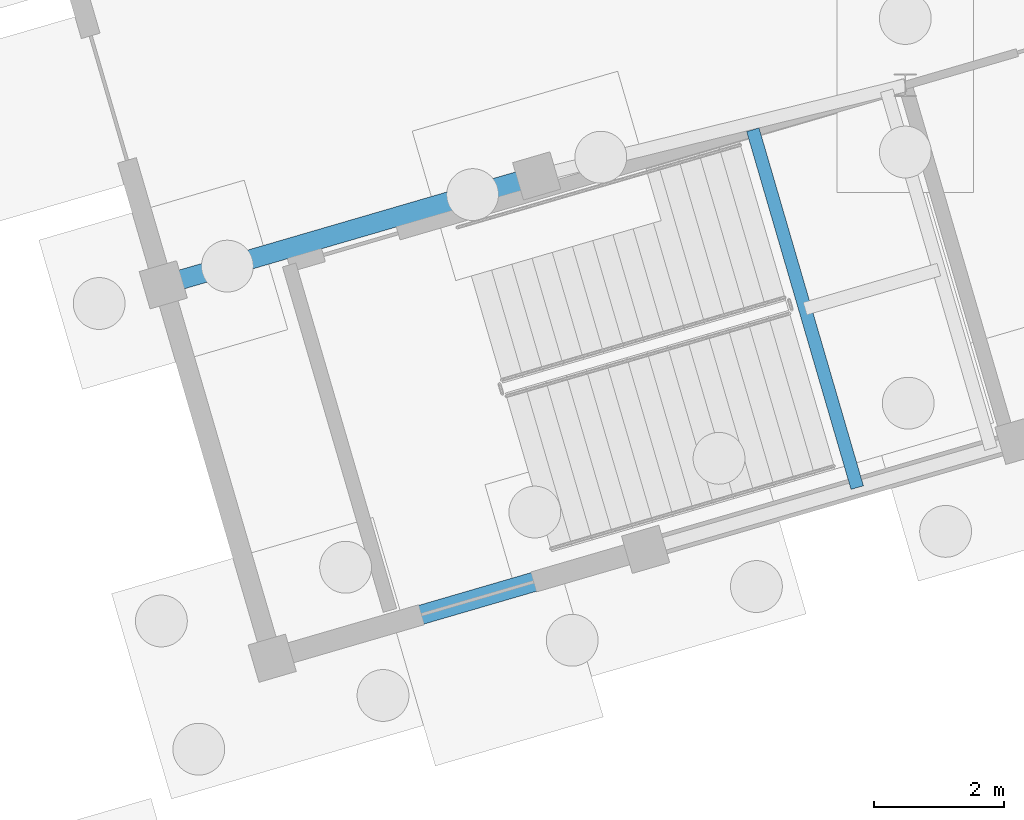
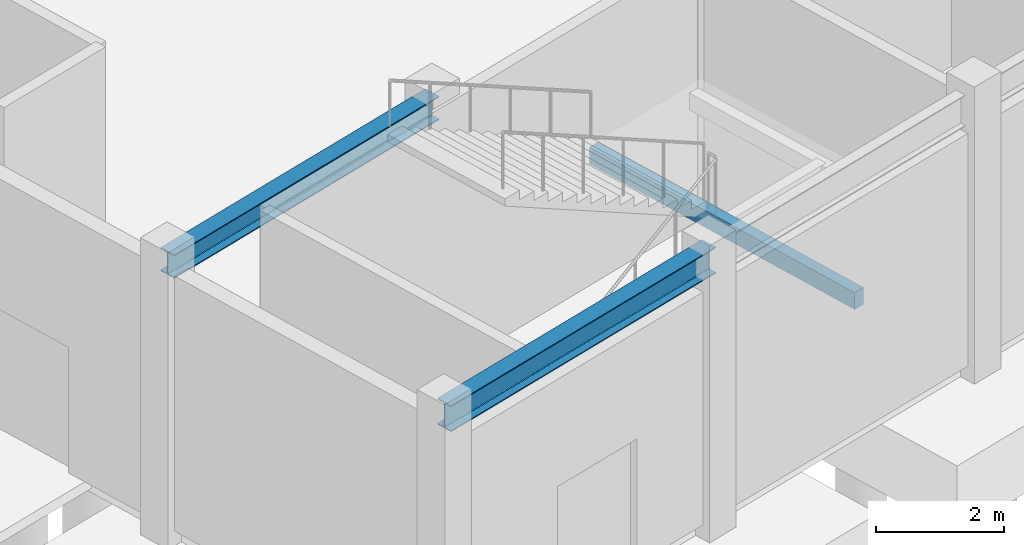
# One storey, part 47 of 90: 3 beams.
"""IFC4 building model written with IfcOpenShell, lengths in metres."""

from ifc_helpers import new_model, si_unit, direction, frame, origin, origin_2d, place, context, subcontext, project, spatial, rectangle, i_section, extrude, material, material_profile, profile_set, type_object, element, save


model = new_model("IFC4")

# Units and contexts
model_context = context("Model", 3, precision=1e-05, world=origin(), true_north=direction((0.0, 1.0)))
body_context = subcontext(model_context, "Body", "Model", "MODEL_VIEW")
ifc_project = project(units=[si_unit("LENGTHUNIT", "METRE"), si_unit("AREAUNIT", "SQUARE_METRE"), si_unit("VOLUMEUNIT", "CUBIC_METRE"), si_unit("PLANEANGLEUNIT", "RADIAN"), si_unit("MASSUNIT", "GRAM", prefix="KILO")], contexts=[model_context])

# Site, building, storey
site_placement = place(None, origin())
site = spatial("IfcSite", under=ifc_project, at=site_placement, CompositionType="ELEMENT")
building_placement = place(site_placement, origin())
building = spatial("IfcBuilding", under=site, at=building_placement, Name="Canggui Botanical Conservatory", CompositionType="ELEMENT")
storey_placement = place(building_placement, origin())
storey = spatial("IfcBuildingStorey", under=building, at=storey_placement, Name="L01", CompositionType="ELEMENT", Elevation=0.0)

# Beams
ifc_material_1 = material(Name="Steel Q355B", Category="steel")
ifc_material_profile_1 = material_profile(ifc_material_1, i_section(OverallWidth=0.300048828125, OverallDepth=0.5, WebThickness=0.010986328125, FlangeThickness=0.01806640625, FilletRadius=0.02392578125, at=origin_2d()), Name="HM 500x300x11x18")
ifc_profile_set_1 = profile_set([ifc_material_profile_1], Name="Steel Q355B")
beam_type_1 = type_object("IfcBeamType", Name="BM-GL01", PredefinedType="BEAM", material=ifc_profile_set_1)
beam_1_placement = place(storey_placement, frame((66.0, 90.0, 4.905029296875), z_axis=(0.960003190047, 0.279989062464, 0.0), x_axis=(-0.279989062464, 0.960003190047, 0.0)))
element("IfcBeam", 1, at=beam_1_placement, inside=storey, type_object=beam_type_1, Name="Auditorium Perimeter Steel Girder 1-0", PredefinedType="BEAM", context=body_context, shape_type="SweptSolid", body=[
    extrude(i_section(OverallWidth=0.300048828125, OverallDepth=0.5, WebThickness=0.010986328125, FlangeThickness=0.01806640625, FilletRadius=0.02392578125, at=origin_2d()), origin(), (0.0, 0.0, 1.0), 6.0),
])
ifc_material_profile_2 = material_profile(ifc_material_1, i_section(OverallWidth=0.300048828125, OverallDepth=0.449951171875, WebThickness=0.010986328125, FlangeThickness=0.01806640625, FilletRadius=0.02392578125, at=origin_2d()), Name="HM 450x300x11x18")
ifc_profile_set_2 = profile_set([ifc_material_profile_2], Name="Steel Q355B")
beam_type_2 = type_object("IfcBeamType", Name="BM-GL02", PredefinedType="BEAM", material=ifc_profile_set_2)
beam_2_placement = place(storey_placement, frame((64.320068359375, 95.760009765625, 4.909912109375), z_axis=(0.960003190047, 0.279989062464, 0.0), x_axis=(-0.279989062464, 0.960003190047, 0.0)))
element("IfcBeam", 2, at=beam_2_placement, inside=storey, type_object=beam_type_2, Name="Auditorium Foyer Girder V6", PredefinedType="BEAM", context=body_context, shape_type="SweptSolid", body=[
    extrude(i_section(OverallWidth=0.300048828125, OverallDepth=0.449951171875, WebThickness=0.010986328125, FlangeThickness=0.01806640625, FilletRadius=0.02392578125, at=origin_2d()), origin(), (0.0, 0.0, 1.0), 6.0),
])
ifc_material_2 = material(Name="Concrete C35", Category="concrete")
ifc_material_profile_3 = material_profile(ifc_material_2, rectangle(XDim=0.199951171875, YDim=0.320068359375, at=origin_2d()), Name="RB 200x320")
ifc_profile_set_3 = profile_set([ifc_material_profile_3], Name="Concrete C35")
beam_type_3 = type_object("IfcBeamType", Name="BM-LIN02", PredefinedType="LINTEL", material=ifc_profile_set_3)
beam_3_placement = place(storey_placement, frame((75.02392578125, 92.632080078125, 2.3798828125), z_axis=(-0.279977173756, 0.96000665736, 0.0), x_axis=(-0.96000665736, -0.279977173756, 0.0)))
element("IfcBeam", 3, at=beam_3_placement, inside=storey, type_object=beam_type_3, Name="ST-A1 Landing Trimmer 1", PredefinedType="LINTEL", context=body_context, shape_type="SweptSolid", body=[
    extrude(rectangle(XDim=0.199951171875, YDim=0.320068359375, at=origin_2d()), origin(), (0.0, 0.0, 1.0), 5.75),
])

save(model, "model.ifc")
